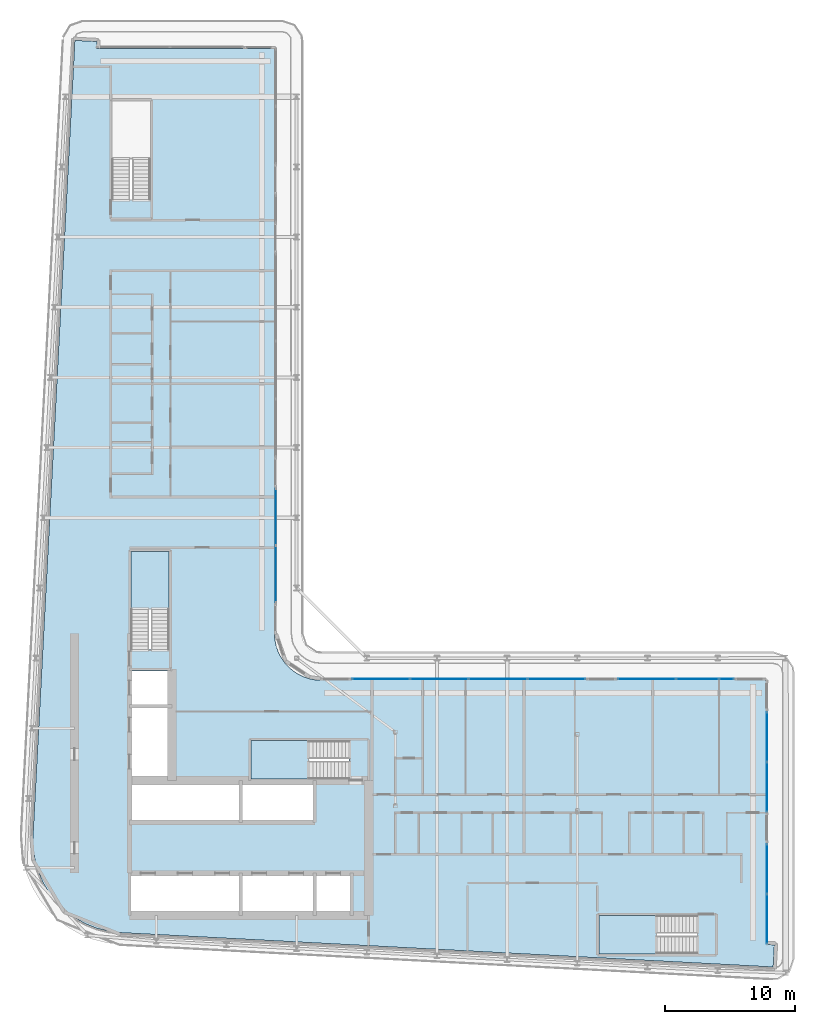
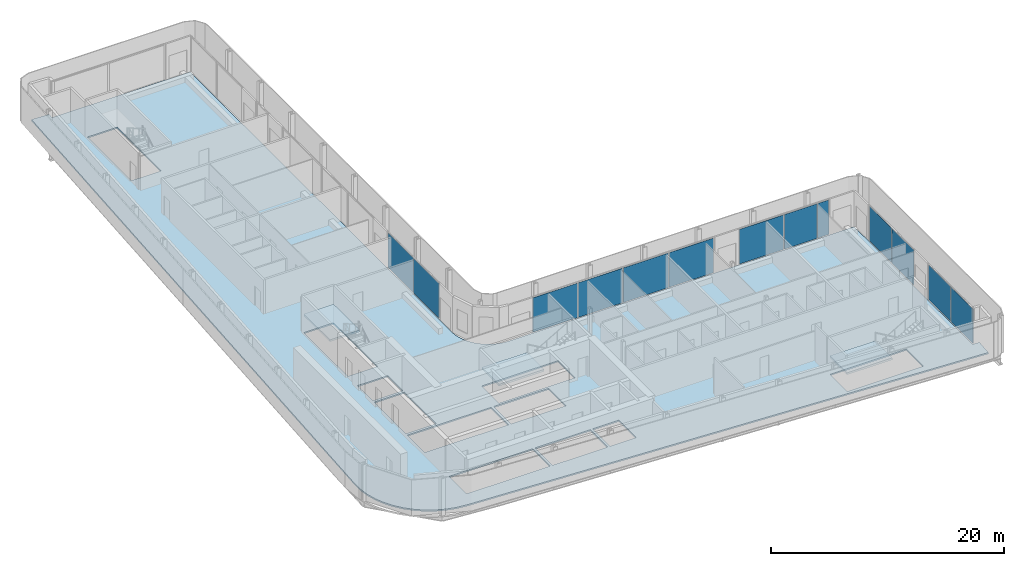
# One storey, part 8 of 21: 13 plates, 4 slabs, 9 elements without a shape of their own.
"""IFC4 building model written with IfcOpenShell, lengths in metres."""

from ifc_helpers import new_model, si_unit, direction, frame, origin, origin_2d, place, context, subcontext, project, spatial, polyline, rectangle, outline, extrude, material, layer, layer_set, type_object, element, aggregate, save


model = new_model("IFC4")

# Units and contexts
model_context = context("Model", 3, precision=1e-05, world=origin(), true_north=direction((0.0, 1.0)))
body_context = subcontext(model_context, "Body", "Model", "MODEL_VIEW")
ifc_project = project(units=[si_unit("LENGTHUNIT", "METRE"), si_unit("AREAUNIT", "SQUARE_METRE"), si_unit("VOLUMEUNIT", "CUBIC_METRE"), si_unit("PLANEANGLEUNIT", "RADIAN"), si_unit("MASSUNIT", "GRAM", prefix="KILO")], contexts=[model_context])

# Site, building, storey
site_placement = place(None, origin())
site = spatial("IfcSite", under=ifc_project, at=site_placement, CompositionType="ELEMENT")
building_placement = place(site_placement, origin())
building = spatial("IfcBuilding", under=site, at=building_placement, Name="Kheshtan School and Residences Tower", CompositionType="ELEMENT")
storey_placement = place(building_placement, frame((0.0, 0.0, 235.699951171875)))
storey = spatial("IfcBuildingStorey", under=building, at=storey_placement, Name="L55", CompositionType="ELEMENT", Elevation=235.699951171875)

# Curtain wall, plates
ifc_material_1 = material(Name="Clear low-e glass in thermally broken aluminium frame", Category="aluminium")
ifc_layer_1 = layer(ifc_material_1, 0.199951171875)
ifc_layer_set_1 = layer_set([ifc_layer_1], Name="Curtain wall CW-L")
curtain_wall_type = type_object("IfcCurtainWallType", Name="Curtain wall CW-L", PredefinedType="NOTDEFINED", material=ifc_layer_set_1)
curtain_wall_1_placement = place(storey_placement, origin())
curtain_wall_1 = element("IfcCurtainWall", 1, at=curtain_wall_1_placement, inside=storey, type_object=curtain_wall_type, Name="Curtain wall CWL4b", PredefinedType="NOTDEFINED")
ifc_layer_2 = layer(ifc_material_1, 0.031982421875)
ifc_layer_set_2 = layer_set([ifc_layer_2], Name="CW-L glass panel")
plate_type = type_object("IfcPlateType", Name="CW-L glass panel", PredefinedType="CURTAIN_PANEL", material=ifc_layer_set_2)
plate_1_placement = place(storey_placement, frame((46.0, 56.465576171875, 0.0), z_axis=(0.0, 0.0, 1.0), x_axis=(0.0, -1.0, 0.0)))
plate_1 = element("IfcPlate", 2, at=plate_1_placement, type_object=plate_type, Name="CWL4b panel 1.1", PredefinedType="CURTAIN_PANEL", context=body_context, shape_type="SweptSolid", body=[
    extrude(rectangle(XDim=4.34375, YDim=0.031982421875, at=origin_2d()), origin(), (0.0, 0.0, 1.0), 3.6298828125),
])
plate_2_placement = place(storey_placement, frame((46.0, 52.061767578125, 0.0), z_axis=(0.0, 0.0, 1.0), x_axis=(0.0, -1.0, 0.0)))
plate_2 = element("IfcPlate", 3, at=plate_2_placement, type_object=plate_type, Name="CWL4b panel 2.1", PredefinedType="CURTAIN_PANEL", context=body_context, shape_type="SweptSolid", body=[
    extrude(rectangle(XDim=4.34375, YDim=0.031982421875, at=origin_2d()), origin(), (0.0, 0.0, 1.0), 3.6298828125),
])
aggregate(curtain_wall_1, [plate_1, plate_2])

curtain_wall_2_placement = place(storey_placement, origin())
curtain_wall_2 = element("IfcCurtainWall", 4, at=curtain_wall_2_placement, inside=storey, type_object=curtain_wall_type, Name="Curtain wall CWL8n", PredefinedType="NOTDEFINED")
plate_3_placement = place(storey_placement, frame((54.100830078125, 44.0, 0.0), z_axis=(0.0, 0.0, 1.0), x_axis=(1.0, 0.0, 0.0)))
plate_3 = element("IfcPlate", 5, at=plate_3_placement, type_object=plate_type, Name="CWL8n panel 1.1", PredefinedType="CURTAIN_PANEL", context=body_context, shape_type="SweptSolid", body=[
    extrude(rectangle(XDim=4.421630859375, YDim=0.031982421875, at=origin_2d()), origin(), (0.0, 0.0, 1.0), 3.6298828125),
])
plate_4_placement = place(storey_placement, frame((58.58251953125, 44.0, 0.0), z_axis=(0.0, 0.0, 1.0), x_axis=(1.0, 0.0, 0.0)))
plate_4 = element("IfcPlate", 6, at=plate_4_placement, type_object=plate_type, Name="CWL8n panel 2.1", PredefinedType="CURTAIN_PANEL", context=body_context, shape_type="SweptSolid", body=[
    extrude(rectangle(XDim=4.421630859375, YDim=0.031982421875, at=origin_2d()), origin(), (0.0, 0.0, 1.0), 3.6298828125),
])
aggregate(curtain_wall_2, [plate_3, plate_4])

curtain_wall_3_placement = place(storey_placement, origin())
curtain_wall_3 = element("IfcCurtainWall", 7, at=curtain_wall_3_placement, inside=storey, type_object=curtain_wall_type, Name="Curtain wall CWL8n", PredefinedType="NOTDEFINED")
plate_5_placement = place(storey_placement, frame((63.09423828125, 44.0, 0.0), z_axis=(0.0, 0.0, 1.0), x_axis=(1.0, 0.0, 0.0)))
plate_5 = element("IfcPlate", 8, at=plate_5_placement, type_object=plate_type, Name="CWL8n panel 1.1", PredefinedType="CURTAIN_PANEL", context=body_context, shape_type="SweptSolid", body=[
    extrude(rectangle(XDim=4.481689453125, YDim=0.031982421875, at=origin_2d()), origin(), (0.0, 0.0, 1.0), 3.6298828125),
])
plate_6_placement = place(storey_placement, frame((67.605712890625, 44.0, 0.0), z_axis=(0.0, 0.0, 1.0), x_axis=(1.0, 0.0, 0.0)))
plate_6 = element("IfcPlate", 9, at=plate_6_placement, type_object=plate_type, Name="CWL8n panel 2.1", PredefinedType="CURTAIN_PANEL", context=body_context, shape_type="SweptSolid", body=[
    extrude(rectangle(XDim=4.421630859375, YDim=0.031982421875, at=origin_2d()), origin(), (0.0, 0.0, 1.0), 3.6298828125),
])
aggregate(curtain_wall_3, [plate_5, plate_6])

curtain_wall_4_placement = place(storey_placement, origin())
curtain_wall_4 = element("IfcCurtainWall", 10, at=curtain_wall_4_placement, inside=storey, type_object=curtain_wall_type, Name="Curtain wall CWL8o", PredefinedType="NOTDEFINED")
plate_7_placement = place(storey_placement, frame((74.547607421875, 44.0, 0.0), z_axis=(0.0, 0.0, 1.0), x_axis=(1.0, 0.0, 0.0)))
plate_7 = element("IfcPlate", 11, at=plate_7_placement, type_object=plate_type, Name="CWL8o panel 1.1", PredefinedType="CURTAIN_PANEL", context=body_context, shape_type="SweptSolid", body=[
    extrude(rectangle(XDim=4.421630859375, YDim=0.031982421875, at=origin_2d()), origin(), (0.0, 0.0, 1.0), 3.6298828125),
])
plate_8_placement = place(storey_placement, frame((78.444091796875, 44.0, 0.0), z_axis=(0.0, 0.0, 1.0), x_axis=(1.0, 0.0, 0.0)))
plate_8 = element("IfcPlate", 12, at=plate_8_placement, type_object=plate_type, Name="CWL8o panel 2.1", PredefinedType="CURTAIN_PANEL", context=body_context, shape_type="SweptSolid", body=[
    extrude(rectangle(XDim=3.251708984375, YDim=0.031982421875, at=origin_2d()), origin(), (0.0, 0.0, 1.0), 3.6298828125),
])
plate_9_placement = place(storey_placement, frame((80.68505859375, 44.0, 0.0), z_axis=(0.0, 0.0, 1.0), x_axis=(1.0, 0.0, 0.0)))
plate_9 = element("IfcPlate", 13, at=plate_9_placement, type_object=plate_type, Name="CWL8o panel 3.1", PredefinedType="CURTAIN_PANEL", context=body_context, shape_type="SweptSolid", body=[
    extrude(rectangle(XDim=1.110107421875, YDim=0.031982421875, at=origin_2d()), origin(), (0.0, 0.0, 1.0), 3.6298828125),
])
aggregate(curtain_wall_4, [plate_7, plate_8, plate_9])

curtain_wall_5_placement = place(storey_placement, origin())
curtain_wall_5 = element("IfcCurtainWall", 14, at=curtain_wall_5_placement, inside=storey, type_object=curtain_wall_type, Name="Curtain wall CWL9a", PredefinedType="NOTDEFINED")
plate_10_placement = place(storey_placement, frame((83.800048828125, 39.54345703125, 0.0), z_axis=(0.0, 0.0, 1.0), x_axis=(0.0, -1.0, 0.0)))
plate_10 = element("IfcPlate", 15, at=plate_10_placement, type_object=plate_type, Name="CWL9a panel 1.1", PredefinedType="CURTAIN_PANEL", context=body_context, shape_type="SweptSolid", body=[
    extrude(rectangle(XDim=3.793212890625, YDim=0.031982421875, at=origin_2d()), origin(), (0.0, 0.0, 1.0), 3.6298828125),
])
plate_11_placement = place(storey_placement, frame((83.800048828125, 35.690185546875, 0.0), z_axis=(0.0, 0.0, 1.0), x_axis=(0.0, -1.0, 0.0)))
plate_11 = element("IfcPlate", 16, at=plate_11_placement, type_object=plate_type, Name="CWL9a panel 2.1", PredefinedType="CURTAIN_PANEL", context=body_context, shape_type="SweptSolid", body=[
    extrude(rectangle(XDim=3.793212890625, YDim=0.031982421875, at=origin_2d()), origin(), (0.0, 0.0, 1.0), 3.6298828125),
])
aggregate(curtain_wall_5, [plate_10, plate_11])

curtain_wall_6_placement = place(storey_placement, origin())
curtain_wall_6 = element("IfcCurtainWall", 17, at=curtain_wall_6_placement, inside=storey, type_object=curtain_wall_type, Name="Curtain wall CWL9a", PredefinedType="NOTDEFINED")
plate_12_placement = place(storey_placement, frame((83.800048828125, 29.376953125, 0.0), z_axis=(0.0, 0.0, 1.0), x_axis=(0.0, -1.0, 0.0)))
plate_12 = element("IfcPlate", 18, at=plate_12_placement, type_object=plate_type, Name="CWL9a panel 1.1", PredefinedType="CURTAIN_PANEL", context=body_context, shape_type="SweptSolid", body=[
    extrude(rectangle(XDim=3.793212890625, YDim=0.031982421875, at=origin_2d()), origin(), (0.0, 0.0, 1.0), 3.6298828125),
])
plate_13_placement = place(storey_placement, frame((83.800048828125, 25.523681640625, 0.0), z_axis=(0.0, 0.0, 1.0), x_axis=(0.0, -1.0, 0.0)))
plate_13 = element("IfcPlate", 19, at=plate_13_placement, type_object=plate_type, Name="CWL9a panel 2.1", PredefinedType="CURTAIN_PANEL", context=body_context, shape_type="SweptSolid", body=[
    extrude(rectangle(XDim=3.793212890625, YDim=0.031982421875, at=origin_2d()), origin(), (0.0, 0.0, 1.0), 3.6298828125),
])
aggregate(curtain_wall_6, [plate_12, plate_13])

# Slab
ifc_material_2 = material(Name="Concrete C40/50", Category="concrete")
ifc_layer_3 = layer(ifc_material_2, 0.14990234375)
ifc_layer_set_3 = layer_set([ifc_layer_3], Name="Floor slab 150 Concrete C40/50")
slab_type_1 = type_object("IfcSlabType", Name="Floor slab 150 Concrete C40/50", PredefinedType="FLOOR", material=ifc_layer_set_3)
slab_1_placement = place(storey_placement, frame((0.0, 0.0, -0.14990234375)))
element("IfcSlab", 20, at=slab_1_placement, inside=storey, type_object=slab_type_1, Name="Floor slab L55", PredefinedType="FLOOR", context=body_context, shape_type="SweptSolid", body=[
    extrude(outline(polyline([(28.0849609375, 28.345947265625), (27.718017578125, 29.200927734375), (27.466064453125, 30.093017578125), (27.466064453125, 30.093994140625), (27.3330078125, 31.013916015625), (27.320068359375, 31.965087890625), (27.320068359375, 31.970947265625), (30.5380859375, 93.10107421875), (30.5390625, 93.10791015625), (30.5419921875, 93.131103515625), (30.5419921875, 93.132080078125), (30.54296875, 93.132080078125), (31.137939453125, 93.10009765625), (31.138916015625, 93.10009765625), (31.138916015625, 93.09912109375), (31.138916015625, 93.094970703125), (31.138916015625, 93.093994140625), (31.139892578125, 93.093994140625), (31.139892578125, 93.093017578125), (31.14111328125, 93.093017578125), (31.14208984375, 93.093017578125), (31.14208984375, 93.093994140625), (31.14404296875, 93.095947265625), (31.14501953125, 93.096923828125), (31.14599609375, 93.097900390625), (31.14697265625, 93.097900390625), (31.14697265625, 93.09912109375), (31.14794921875, 93.09912109375), (31.14794921875, 93.10009765625), (31.14892578125, 93.10009765625), (31.152099609375, 93.10205078125), (31.155029296875, 93.10205078125), (31.156005859375, 93.10205078125), (31.156005859375, 93.10302734375), (31.156982421875, 93.10302734375), (31.162109375, 93.10302734375), (32.217041015625, 93.047119140625), (32.219970703125, 93.047119140625), (32.220947265625, 93.047119140625), (32.220947265625, 93.0458984375), (32.221923828125, 93.0458984375), (32.22607421875, 93.0458984375), (32.22607421875, 93.044921875), (32.22705078125, 93.044921875), (32.22705078125, 93.0439453125), (32.22802734375, 93.0439453125), (32.22802734375, 93.04296875), (32.22900390625, 93.04296875), (32.22998046875, 93.04296875), (32.22998046875, 93.0419921875), (32.23095703125, 93.0419921875), (32.23193359375, 93.0419921875), (32.23193359375, 93.041015625), (32.23388671875, 93.0390625), (32.235107421875, 93.0390625), (32.235107421875, 93.0380859375), (32.235107421875, 93.037109375), (32.236083984375, 93.037109375), (32.236083984375, 93.035888671875), (32.237060546875, 93.035888671875), (32.237060546875, 93.033935546875), (32.237060546875, 93.032958984375), (32.238037109375, 93.032958984375), (32.238037109375, 93.031982421875), (32.239013671875, 93.031982421875), (32.239013671875, 93.031005859375), (32.239013671875, 93.029052734375), (32.239013671875, 93.028076171875), (32.239990234375, 93.028076171875), (32.239990234375, 93.027099609375), (32.239990234375, 93.02197265625), (32.212890625, 92.52099609375), (32.212890625, 92.51806640625), (32.212890625, 92.51708984375), (32.2119140625, 92.51708984375), (32.2119140625, 92.51611328125), (32.2119140625, 92.511962890625), (32.2109375, 92.510009765625), (32.2099609375, 92.510009765625), (32.2099609375, 92.509033203125), (32.208984375, 92.509033203125), (32.208984375, 92.508056640625), (32.2080078125, 92.507080078125), (32.2060546875, 92.5048828125), (32.205078125, 92.50390625), (32.2041015625, 92.50390625), (32.2041015625, 92.5029296875), (32.2041015625, 92.501953125), (32.2041015625, 92.5009765625), (32.205078125, 92.5009765625), (32.205078125, 92.5), (32.2060546875, 92.5), (45.85498046875, 92.5), (45.860107421875, 92.4990234375), (45.864990234375, 92.498046875), (45.865966796875, 92.498046875), (45.868896484375, 92.49609375), (45.8740234375, 92.493896484375), (45.8779296875, 92.491943359375), (45.881103515625, 92.489990234375), (45.881103515625, 92.489013671875), (45.882080078125, 92.489013671875), (45.882080078125, 92.488037109375), (45.883056640625, 92.488037109375), (45.884033203125, 92.485107421875), (45.885009765625, 92.485107421875), (45.885009765625, 92.48388671875), (45.887939453125, 92.48291015625), (45.887939453125, 92.48193359375), (45.888916015625, 92.48193359375), (45.888916015625, 92.48095703125), (45.889892578125, 92.48095703125), (45.89208984375, 92.47802734375), (45.89404296875, 92.47412109375), (45.89599609375, 92.468994140625), (45.89794921875, 92.466064453125), (45.89794921875, 92.465087890625), (45.89892578125, 92.4599609375), (45.89990234375, 92.455078125), (45.89990234375, 47.429931640625), (45.927001953125, 47.030029296875), (46.01806640625, 46.570068359375), (46.01806640625, 46.569091796875), (46.169921875, 46.1201171875), (46.37890625, 45.697021484375), (46.638916015625, 45.30810546875), (46.949951171875, 44.950927734375), (46.950927734375, 44.949951171875), (47.30810546875, 44.638916015625), (47.697021484375, 44.37890625), (48.1201171875, 44.169921875), (48.569091796875, 44.01806640625), (48.570068359375, 44.01806640625), (49.030029296875, 43.927001953125), (49.429931640625, 43.89990234375), (83.655029296875, 43.89990234375), (83.659912109375, 43.89892578125), (83.6650390625, 43.89794921875), (83.666015625, 43.89794921875), (83.6689453125, 43.89599609375), (83.674072265625, 43.89404296875), (83.677978515625, 43.89208984375), (83.680908203125, 43.889892578125), (83.680908203125, 43.888916015625), (83.681884765625, 43.888916015625), (83.681884765625, 43.887939453125), (83.68310546875, 43.887939453125), (83.68408203125, 43.885009765625), (83.68505859375, 43.885009765625), (83.68505859375, 43.884033203125), (83.68798828125, 43.883056640625), (83.68798828125, 43.882080078125), (83.68896484375, 43.882080078125), (83.68896484375, 43.881103515625), (83.68994140625, 43.881103515625), (83.69189453125, 43.8779296875), (83.694091796875, 43.8740234375), (83.696044921875, 43.868896484375), (83.697998046875, 43.865966796875), (83.697998046875, 43.864990234375), (83.699951171875, 43.85498046875), (83.699951171875, 23.56201171875), (83.699951171875, 23.56103515625), (83.700927734375, 23.56103515625), (83.700927734375, 23.56005859375), (83.701904296875, 23.56005859375), (83.702880859375, 23.56005859375), (83.702880859375, 23.56103515625), (83.705078125, 23.56298828125), (83.7060546875, 23.56396484375), (83.70703125, 23.56494140625), (83.7080078125, 23.56494140625), (83.7080078125, 23.56591796875), (83.708984375, 23.56591796875), (83.708984375, 23.56689453125), (83.7099609375, 23.56689453125), (83.712890625, 23.569091796875), (83.716064453125, 23.569091796875), (83.717041015625, 23.569091796875), (83.717041015625, 23.570068359375), (83.718017578125, 23.570068359375), (83.722900390625, 23.570068359375), (84.337890625, 23.537109375), (84.341064453125, 23.537109375), (84.342041015625, 23.537109375), (84.342041015625, 23.535888671875), (84.343017578125, 23.535888671875), (84.346923828125, 23.535888671875), (84.346923828125, 23.534912109375), (84.347900390625, 23.534912109375), (84.347900390625, 23.533935546875), (84.34912109375, 23.533935546875), (84.34912109375, 23.532958984375), (84.35009765625, 23.532958984375), (84.35107421875, 23.532958984375), (84.35107421875, 23.531982421875), (84.35205078125, 23.531982421875), (84.35302734375, 23.531982421875), (84.35302734375, 23.531005859375), (84.35498046875, 23.529052734375), (84.35595703125, 23.529052734375), (84.35595703125, 23.528076171875), (84.35595703125, 23.527099609375), (84.35693359375, 23.527099609375), (84.35693359375, 23.52587890625), (84.35791015625, 23.52587890625), (84.35791015625, 23.52490234375), (84.35791015625, 23.52392578125), (84.35791015625, 23.52294921875), (84.35888671875, 23.52294921875), (84.35888671875, 23.52197265625), (84.360107421875, 23.52197265625), (84.360107421875, 23.52099609375), (84.360107421875, 23.51904296875), (84.360107421875, 23.51806640625), (84.361083984375, 23.51806640625), (84.361083984375, 23.51708984375), (84.361083984375, 23.511962890625), (84.304931640625, 22.455078125), (84.304931640625, 22.451904296875), (84.304931640625, 22.450927734375), (84.303955078125, 22.450927734375), (84.303955078125, 22.449951171875), (84.303955078125, 22.446044921875), (84.302978515625, 22.445068359375), (84.302978515625, 22.444091796875), (84.302001953125, 22.444091796875), (84.302001953125, 22.443115234375), (84.301025390625, 22.443115234375), (84.301025390625, 22.44189453125), (84.300048828125, 22.44091796875), (84.298095703125, 22.43896484375), (84.297119140625, 22.43798828125), (84.2958984375, 22.43798828125), (84.2958984375, 22.43701171875), (84.2958984375, 22.43603515625), (84.2958984375, 22.43505859375), (84.297119140625, 22.43505859375), (84.297119140625, 22.43408203125), (84.298095703125, 22.43408203125), (84.299072265625, 22.43408203125), (84.300048828125, 22.43408203125), (84.300048828125, 22.43310546875), (84.26806640625, 21.837890625), (84.26806640625, 21.8369140625), (84.26708984375, 21.8369140625), (84.242919921875, 21.8359375), (84.238037109375, 21.8359375), (34.056884765625, 24.47802734375), (33.114990234375, 24.590087890625), (32.215087890625, 24.819091796875), (32.214111328125, 24.819091796875), (31.35205078125, 25.1630859375), (30.541015625, 25.616943359375), (29.799072265625, 26.1708984375), (29.799072265625, 26.172119140625), (29.798095703125, 26.172119140625), (29.134033203125, 26.820068359375), (29.134033203125, 26.821044921875), (29.133056640625, 26.821044921875), (28.55908203125, 27.550048828125), (28.0849609375, 28.345947265625)]), holes=[polyline([(83.699951171875, 22.44091796875), (83.699951171875, 22.43994140625), (83.699951171875, 22.43603515625), (83.699951171875, 22.43505859375), (83.700927734375, 22.43505859375), (83.700927734375, 22.43408203125), (83.701904296875, 22.43408203125), (83.7060546875, 22.43408203125), (83.70703125, 22.43408203125), (83.70703125, 22.43505859375), (83.7080078125, 22.43505859375), (83.7080078125, 22.43603515625), (83.7080078125, 22.43701171875), (83.70703125, 22.43701171875), (83.7060546875, 22.43798828125), (83.7041015625, 22.43994140625), (83.702880859375, 22.44091796875), (83.702880859375, 22.44189453125), (83.701904296875, 22.44189453125), (83.700927734375, 22.44189453125), (83.700927734375, 22.44091796875), (83.699951171875, 22.44091796875)]), polyline([(31.138916015625, 92.507080078125), (31.138916015625, 92.506103515625), (31.138916015625, 92.501953125), (31.138916015625, 92.5009765625), (31.139892578125, 92.5009765625), (31.139892578125, 92.5), (31.14111328125, 92.5), (31.14501953125, 92.5), (31.14599609375, 92.5), (31.14599609375, 92.5009765625), (31.14697265625, 92.5009765625), (31.14697265625, 92.501953125), (31.14697265625, 92.5029296875), (31.14599609375, 92.5029296875), (31.14501953125, 92.50390625), (31.14404296875, 92.5048828125), (31.14306640625, 92.506103515625), (31.14208984375, 92.507080078125), (31.14208984375, 92.508056640625), (31.14111328125, 92.508056640625), (31.139892578125, 92.508056640625), (31.139892578125, 92.507080078125), (31.138916015625, 92.507080078125)]), polyline([(43.175048828125, 28.925048828125), (34.875, 28.925048828125), (34.875, 25.925048828125), (43.175048828125, 25.925048828125), (43.175048828125, 28.925048828125)]), polyline([(43.175048828125, 36.074951171875), (34.875, 36.074951171875), (34.875, 33.074951171875), (43.175048828125, 33.074951171875), (43.175048828125, 36.074951171875)]), polyline([(34.875, 41.77490234375), (34.875, 36.324951171875), (37.875, 36.324951171875), (37.875, 41.77490234375), (34.875, 41.77490234375)]), polyline([(37.875, 44.625), (34.875, 44.625), (34.875, 42.02490234375), (37.875, 42.02490234375), (37.875, 44.625)]), polyline([(36.25, 46.25), (37.800048828125, 46.25), (37.800048828125, 53.81005859375), (34.85009765625, 53.81005859375), (34.85009765625, 46.260009765625), (36.25, 46.260009765625), (36.25, 46.25)]), polyline([(33.39990234375, 88.4599609375), (33.39990234375, 80.909912109375), (34.800048828125, 80.909912109375), (34.800048828125, 80.89990234375), (36.35009765625, 80.89990234375), (36.35009765625, 88.4599609375), (33.39990234375, 88.4599609375)]), polyline([(70.85009765625, 25.800048828125), (70.85009765625, 22.85009765625), (78.39990234375, 22.85009765625), (78.39990234375, 24.25), (78.409912109375, 24.25), (78.409912109375, 25.800048828125), (70.85009765625, 25.800048828125)]), polyline([(43.425048828125, 28.925048828125), (43.425048828125, 25.925048828125), (48.875, 25.925048828125), (48.875, 28.925048828125), (43.425048828125, 28.925048828125)]), polyline([(49.125, 28.925048828125), (49.125, 25.925048828125), (51.72509765625, 25.925048828125), (51.72509765625, 28.925048828125), (49.125, 28.925048828125)]), polyline([(43.425048828125, 36.074951171875), (43.425048828125, 33.074951171875), (48.875, 33.074951171875), (48.875, 36.074951171875), (43.425048828125, 36.074951171875)]), polyline([(51.64990234375, 37.699951171875), (51.64990234375, 39.25), (44.090087890625, 39.25), (44.090087890625, 36.300048828125), (51.639892578125, 36.300048828125), (51.639892578125, 37.699951171875), (51.64990234375, 37.699951171875)])]), origin(), (0.0, 0.0, 1.0), 0.14990234375),
])

# Stair, slab
stair_type = type_object("IfcStairType", Name="Exit stair, half-turn", PredefinedType="HALF_TURN_STAIR", material=ifc_material_2)
stair_1_placement = place(storey_placement, origin())
stair_1 = element("IfcStair", 21, at=stair_1_placement, inside=storey, type_object=stair_type, Name="L55 Protected Exit Stair ST1", PredefinedType="HALF_TURN_STAIR")
ifc_layer_4 = layer(ifc_material_2, 0.199951171875)
ifc_layer_set_4 = layer_set([ifc_layer_4], Name="Stair landing 200 Concrete C40/50")
slab_type_2 = type_object("IfcSlabType", Name="Stair landing 200 Concrete C40/50", PredefinedType="LANDING", material=ifc_layer_set_4)
slab_2_placement = place(storey_placement, frame((0.0, 0.0, 1.75)))
slab_2 = element("IfcSlab", 22, at=slab_2_placement, type_object=slab_type_2, Name="ST1 landing 1", PredefinedType="LANDING", context=body_context, shape_type="SweptSolid", body=[
    extrude(outline(polyline([(48.570068359375, 39.25), (44.090087890625, 39.25), (44.090087890625, 36.300048828125), (48.570068359375, 36.300048828125), (48.570068359375, 39.25)])), origin(), (0.0, 0.0, 1.0), 0.199951171875),
])
aggregate(stair_1, [slab_2])

stair_2_placement = place(storey_placement, origin())
stair_2 = element("IfcStair", 23, at=stair_2_placement, inside=storey, type_object=stair_type, Name="L55 Protected Exit Stair ST2", PredefinedType="HALF_TURN_STAIR")
slab_3_placement = place(storey_placement, frame((0.0, 0.0, 1.75)))
slab_3 = element("IfcSlab", 24, at=slab_3_placement, type_object=slab_type_2, Name="ST2 landing 1", PredefinedType="LANDING", context=body_context, shape_type="SweptSolid", body=[
    extrude(outline(polyline([(37.800048828125, 49.330078125), (37.800048828125, 53.81005859375), (34.85009765625, 53.81005859375), (34.85009765625, 49.330078125), (37.800048828125, 49.330078125)])), origin(), (0.0, 0.0, 1.0), 0.199951171875),
])
aggregate(stair_2, [slab_3])

stair_3_placement = place(storey_placement, origin())
stair_3 = element("IfcStair", 25, at=stair_3_placement, inside=storey, type_object=stair_type, Name="L55 Protected Exit Stair ST5", PredefinedType="HALF_TURN_STAIR")
slab_4_placement = place(storey_placement, frame((0.0, 0.0, 1.75)))
slab_4 = element("IfcSlab", 26, at=slab_4_placement, type_object=slab_type_2, Name="ST5 landing 1", PredefinedType="LANDING", context=body_context, shape_type="SweptSolid", body=[
    extrude(outline(polyline([(75.330078125, 25.800048828125), (70.85009765625, 25.800048828125), (70.85009765625, 22.85009765625), (75.330078125, 22.85009765625), (75.330078125, 25.800048828125)])), origin(), (0.0, 0.0, 1.0), 0.199951171875),
])
aggregate(stair_3, [slab_4])

save(model, "model.ifc")
